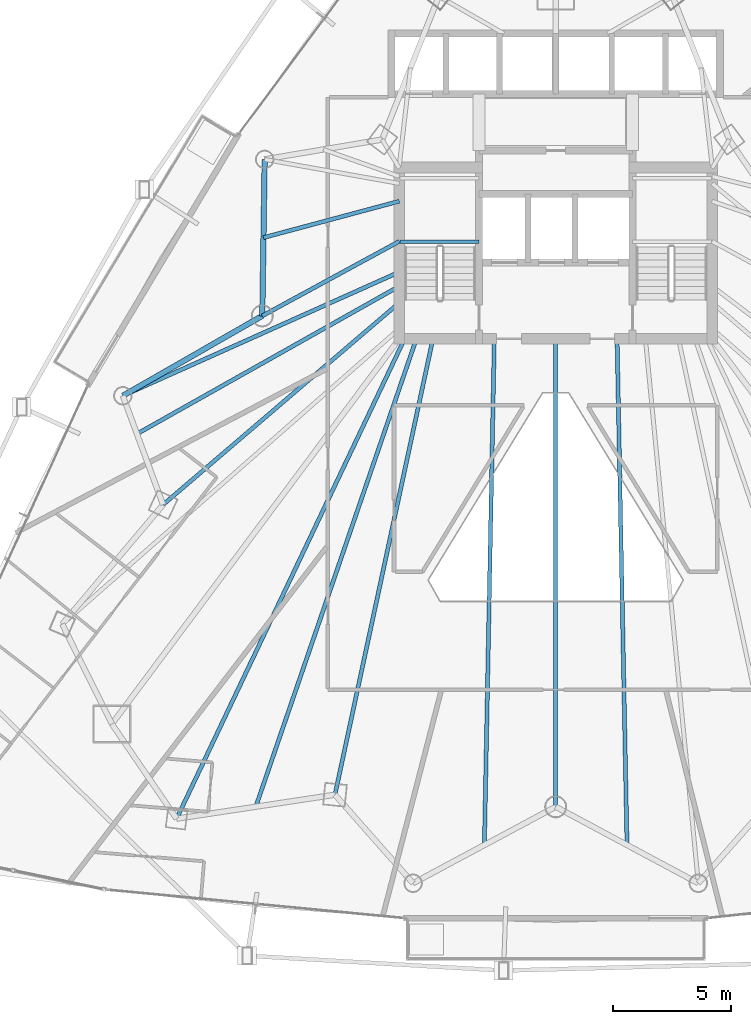
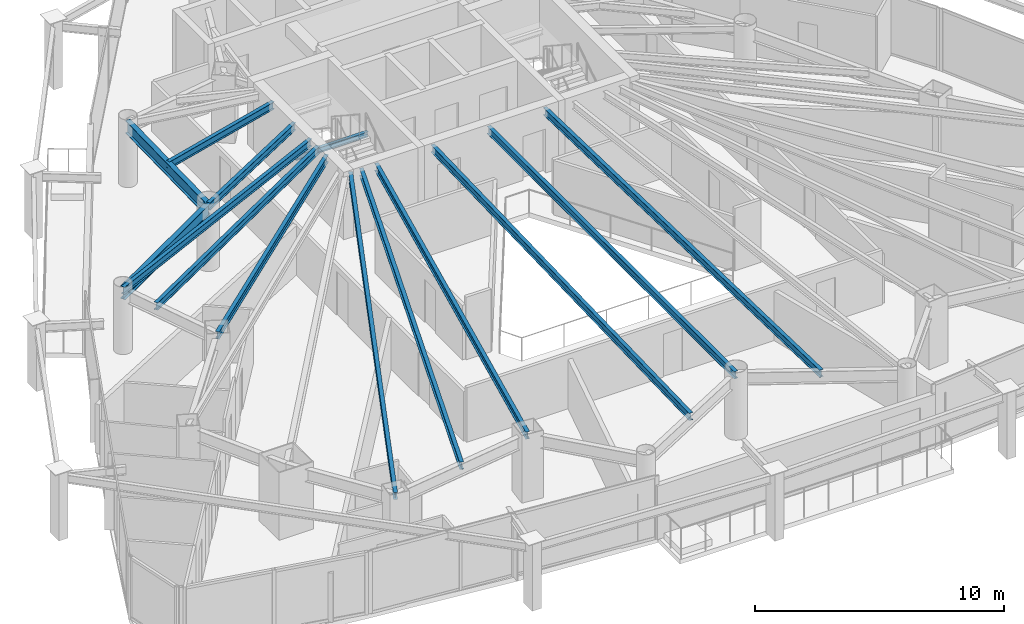
# One storey, part 11 of 34: 14 beams.
"""IFC4 building model written with IfcOpenShell, lengths in metres."""

from ifc_helpers import new_model, si_unit, direction, frame, origin, origin_2d, place, context, subcontext, project, spatial, i_section, extrude, material, material_profile, profile_set, type_object, element, save


model = new_model("IFC4")

# Units and contexts
model_context = context("Model", 3, precision=1e-05, world=origin(), true_north=direction((0.0, 1.0)))
body_context = subcontext(model_context, "Body", "Model", "MODEL_VIEW")
ifc_project = project(units=[si_unit("LENGTHUNIT", "METRE"), si_unit("AREAUNIT", "SQUARE_METRE"), si_unit("VOLUMEUNIT", "CUBIC_METRE"), si_unit("PLANEANGLEUNIT", "RADIAN"), si_unit("MASSUNIT", "GRAM", prefix="KILO")], contexts=[model_context])

# Site, building, storey
site_placement = place(None, origin())
site = spatial("IfcSite", under=ifc_project, at=site_placement, CompositionType="ELEMENT")
building_placement = place(site_placement, origin())
building = spatial("IfcBuilding", under=site, at=building_placement, Name="Orvanel Arch Residences", CompositionType="ELEMENT")
storey_placement = place(building_placement, frame((0.0, 0.0, 80.75)))
storey = spatial("IfcBuildingStorey", under=building, at=storey_placement, Name="L22", CompositionType="ELEMENT", Elevation=80.75)

# Beams
ifc_material = material(Name="Structural steel AS/NZS 3679.1 Grade 300 (300 MPa)", Category="steel")
ifc_material_profile_1 = material_profile(ifc_material, i_section(OverallWidth=0.14599609375, OverallDepth=0.251953125, WebThickness=0.006103515625, FlangeThickness=0.008544921875, at=origin_2d()), Name="250UB31.4")
ifc_profile_set_1 = profile_set([ifc_material_profile_1], Name="Structural steel AS/NZS 3679.1 Grade 300 (300 MPa)")
beam_type_1 = type_object("IfcBeamType", Name="BJ-250UB", PredefinedType="JOIST", material=ifc_profile_set_1)
beam_1_placement = place(storey_placement, frame((26.39990234375, 30.780029296875, 1.323974609375), z_axis=(1.0, 0.0, 0.0), x_axis=(0.0, 1.0, 0.0)))
element("IfcBeam", 1, at=beam_1_placement, inside=storey, type_object=beam_type_1, Name="L22 ST-1 Half-Landing Support Beam 1.1", PredefinedType="JOIST", context=body_context, shape_type="SweptSolid", body=[
    extrude(i_section(OverallWidth=0.14599609375, OverallDepth=0.251953125, WebThickness=0.006103515625, FlangeThickness=0.008544921875, at=origin_2d()), origin(), (0.0, 0.0, 1.0), 3.35009765625),
])
ifc_material_profile_2 = material_profile(ifc_material, i_section(OverallWidth=0.1708984375, OverallDepth=0.35595703125, WebThickness=0.00732421875, FlangeThickness=0.011474609375, at=origin_2d()), Name="360UB50.7")
ifc_profile_set_2 = profile_set([ifc_material_profile_2], Name="Structural steel AS/NZS 3679.1 Grade 300 (300 MPa)")
beam_type_2 = type_object("IfcBeamType", Name="BJ-360UB", PredefinedType="JOIST", material=ifc_profile_set_2)
beam_2_placement = place(storey_placement, frame((26.375, 30.800048828125, 2.882080078125), z_axis=(-0.878399029914, -0.477927969726, 0.0), x_axis=(0.477927969726, -0.878399029914, 0.0)))
element("IfcBeam", 2, at=beam_2_placement, inside=storey, type_object=beam_type_2, Name="L22 NW Wing Floor Joist", PredefinedType="JOIST", context=body_context, shape_type="SweptSolid", body=[
    extrude(i_section(OverallWidth=0.1708984375, OverallDepth=0.35595703125, WebThickness=0.00732421875, FlangeThickness=0.011474609375, at=origin_2d()), origin(), (0.0, 0.0, 1.0), 6.609619140625),
])
beam_3_placement = place(storey_placement, frame((26.375, 28.199951171875, 2.882080078125), z_axis=(-0.760024297953, -0.649894658018, 0.0), x_axis=(0.649894658018, -0.760024297953, 0.0)))
element("IfcBeam", 3, at=beam_3_placement, inside=storey, type_object=beam_type_2, Name="L22 W Wing Floor Joist", PredefinedType="JOIST", context=body_context, shape_type="SweptSolid", body=[
    extrude(i_section(OverallWidth=0.1708984375, OverallDepth=0.35595703125, WebThickness=0.00732421875, FlangeThickness=0.011474609375, at=origin_2d()), origin(), (0.0, 0.0, 1.0), 13.16796875),
])
beam_4_placement = place(storey_placement, frame((27.800048828125, 26.675048828125, 2.882080078125), z_axis=(-0.210066515515, -0.977687096703, 0.0), x_axis=(0.977687096703, -0.210066515515, 0.0)))
element("IfcBeam", 4, at=beam_4_placement, inside=storey, type_object=beam_type_2, Name="L22 SW Wing Floor Joist", PredefinedType="JOIST", context=body_context, shape_type="SweptSolid", body=[
    extrude(i_section(OverallWidth=0.1708984375, OverallDepth=0.35595703125, WebThickness=0.00732421875, FlangeThickness=0.011474609375, at=origin_2d()), origin(), (0.0, 0.0, 1.0), 19.760986328125),
])
beam_5_placement = place(storey_placement, frame((33.0, 26.675048828125, 2.882080078125), z_axis=(0.0, -1.0, 0.0), x_axis=(1.0, 0.0, 0.0)))
element("IfcBeam", 5, at=beam_5_placement, inside=storey, type_object=beam_type_2, Name="L22 SSW Wing Floor Joist", PredefinedType="JOIST", context=body_context, shape_type="SweptSolid", body=[
    extrude(i_section(OverallWidth=0.1708984375, OverallDepth=0.35595703125, WebThickness=0.00732421875, FlangeThickness=0.011474609375, at=origin_2d()), origin(), (0.0, 0.0, 1.0), 19.8310546875),
])
beam_6_placement = place(storey_placement, frame((26.375, 32.5, 2.882080078125), z_axis=(-0.965844838168, -0.259121107949, 0.0), x_axis=(0.259121107949, -0.965844838168, 0.0)))
element("IfcBeam", 6, at=beam_6_placement, inside=storey, type_object=beam_type_2, Name="L22 WNW Wing Floor Joist", PredefinedType="JOIST", context=body_context, shape_type="SweptSolid", body=[
    extrude(i_section(OverallWidth=0.1708984375, OverallDepth=0.35595703125, WebThickness=0.00732421875, FlangeThickness=0.011474609375, at=origin_2d()), origin(), (0.0, 0.0, 1.0), 5.95849609375),
])
for number, where, z_axis, x_axis, name in (
    (7, (30.39990234375, 26.675048828125, 2.882080078125), (-0.019617680075, -0.999807554797, 0.0), (0.999807554797, -0.019617680075, 0.0), "L22 WSW2 Wing Floor Joist"),
    (8, (35.60009765625, 26.675048828125, 2.882080078125), (0.019617680075, -0.999807554797, 0.0), (0.999807554797, 0.019617680075, 0.0), "L22 ESE2 Wing Floor Joist"),
):
    element("IfcBeam", number, at=place(storey_placement, frame(where, z_axis=z_axis, x_axis=x_axis)), inside=storey, type_object=beam_type_2, Name=name, PredefinedType="JOIST", context=body_context, shape_type="SweptSolid", body=[
        extrude(i_section(OverallWidth=0.1708984375, OverallDepth=0.35595703125, WebThickness=0.00732421875, FlangeThickness=0.011474609375, at=origin_2d()), origin(), (0.0, 0.0, 1.0), 21.455078125),
    ])
beam_7_placement = place(storey_placement, frame((26.60009765625, 26.675048828125, 2.882080078125), z_axis=(-0.429042657795, -0.903284228686, 0.0), x_axis=(0.903284228686, -0.429042657795, 0.0)))
element("IfcBeam", 9, at=beam_7_placement, inside=storey, type_object=beam_type_2, Name="L22 MSW Wing Floor Joist", PredefinedType="JOIST", context=body_context, shape_type="SweptSolid", body=[
    extrude(i_section(OverallWidth=0.1708984375, OverallDepth=0.35595703125, WebThickness=0.00732421875, FlangeThickness=0.011474609375, at=origin_2d()), origin(), (0.0, 0.0, 1.0), 22.513427734375),
])
beam_8_placement = place(storey_placement, frame((26.375, 29.5, 2.882080078125), z_axis=(-0.912704378681, -0.408620505038, 0.0), x_axis=(0.408620505038, -0.912704378681, 0.0)))
element("IfcBeam", 10, at=beam_8_placement, inside=storey, type_object=beam_type_2, Name="L22 LSW Wing Floor Joist", PredefinedType="JOIST", context=body_context, shape_type="SweptSolid", body=[
    extrude(i_section(OverallWidth=0.1708984375, OverallDepth=0.35595703125, WebThickness=0.00732421875, FlangeThickness=0.011474609375, at=origin_2d()), origin(), (0.0, 0.0, 1.0), 12.833251953125),
])
beam_9_placement = place(storey_placement, frame((26.375, 28.89990234375, 2.882080078125), z_axis=(-0.871372554181, -0.490621923502, 0.0), x_axis=(0.490621923502, -0.871372554181, 0.0)))
element("IfcBeam", 11, at=beam_9_placement, inside=storey, type_object=beam_type_2, Name="L22 CTW Wing Floor Joist", PredefinedType="JOIST", context=body_context, shape_type="SweptSolid", body=[
    extrude(i_section(OverallWidth=0.1708984375, OverallDepth=0.35595703125, WebThickness=0.00732421875, FlangeThickness=0.011474609375, at=origin_2d()), origin(), (0.0, 0.0, 1.0), 12.7568359375),
])
beam_10_placement = place(storey_placement, frame((27.10009765625, 26.675048828125, 2.882080078125), z_axis=(-0.324621456495, -0.945844019901, 0.0), x_axis=(0.945844019901, -0.324621456495, 0.0)))
element("IfcBeam", 12, at=beam_10_placement, inside=storey, type_object=beam_type_2, Name="L22 JADD1 Wing Floor Joist", PredefinedType="JOIST", context=body_context, shape_type="SweptSolid", body=[
    extrude(i_section(OverallWidth=0.1708984375, OverallDepth=0.35595703125, WebThickness=0.00732421875, FlangeThickness=0.011474609375, at=origin_2d()), origin(), (0.0, 0.0, 1.0), 20.96337890625),
])
ifc_material_profile_3 = material_profile(ifc_material, i_section(OverallWidth=0.22900390625, OverallDepth=0.612060546875, WebThickness=0.011962890625, FlangeThickness=0.01953125, at=origin_2d()), Name="610UB125")
ifc_profile_set_3 = profile_set([ifc_material_profile_3], Name="Structural steel AS/NZS 3679.1 Grade 300 (300 MPa)")
beam_type_3 = type_object("IfcBeamType", Name="SP-610UB", PredefinedType="SPANDREL", material=ifc_profile_set_3)
beam_11_placement = place(storey_placement, frame((20.669921875, 34.27099609375, 2.75390625), z_axis=(-0.015206666874, -0.999884371956, 0.0), x_axis=(0.999884371956, -0.015206666874, 0.0)))
element("IfcBeam", 13, at=beam_11_placement, inside=storey, type_object=beam_type_3, Name="L22 Perimeter Spandrel Beam 20", PredefinedType="SPANDREL", context=body_context, shape_type="SweptSolid", body=[
    extrude(i_section(OverallWidth=0.22900390625, OverallDepth=0.612060546875, WebThickness=0.011962890625, FlangeThickness=0.01953125, at=origin_2d()), origin(), (0.0, 0.0, 1.0), 6.630615234375),
])
beam_12_placement = place(storey_placement, frame((20.569091796875, 27.64111328125, 2.75390625), z_axis=(-0.867635629025, -0.497200578485, 0.0), x_axis=(0.497200578485, -0.867635629025, 0.0)))
element("IfcBeam", 14, at=beam_12_placement, inside=storey, type_object=beam_type_3, Name="L22 Perimeter Spandrel Beam 21", PredefinedType="SPANDREL", context=body_context, shape_type="SweptSolid", body=[
    extrude(i_section(OverallWidth=0.22900390625, OverallDepth=0.612060546875, WebThickness=0.011962890625, FlangeThickness=0.01953125, at=origin_2d()), origin(), (0.0, 0.0, 1.0), 6.80810546875),
])

save(model, "model.ifc")
